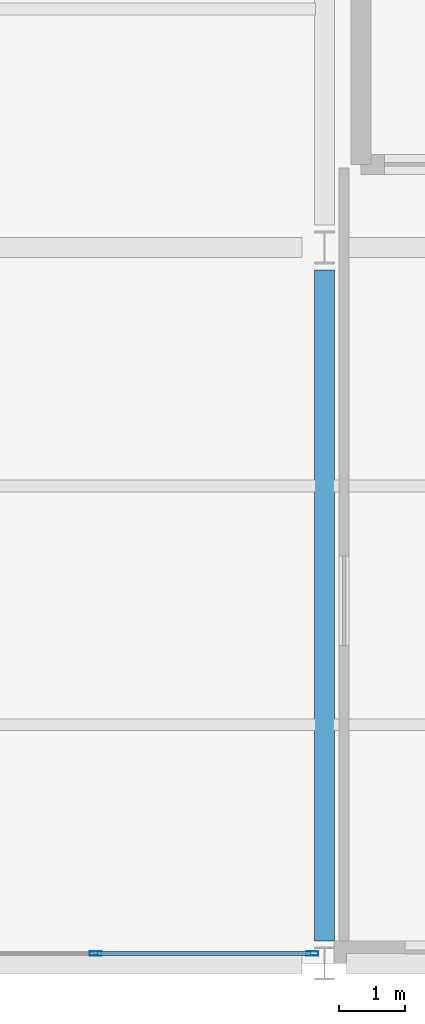
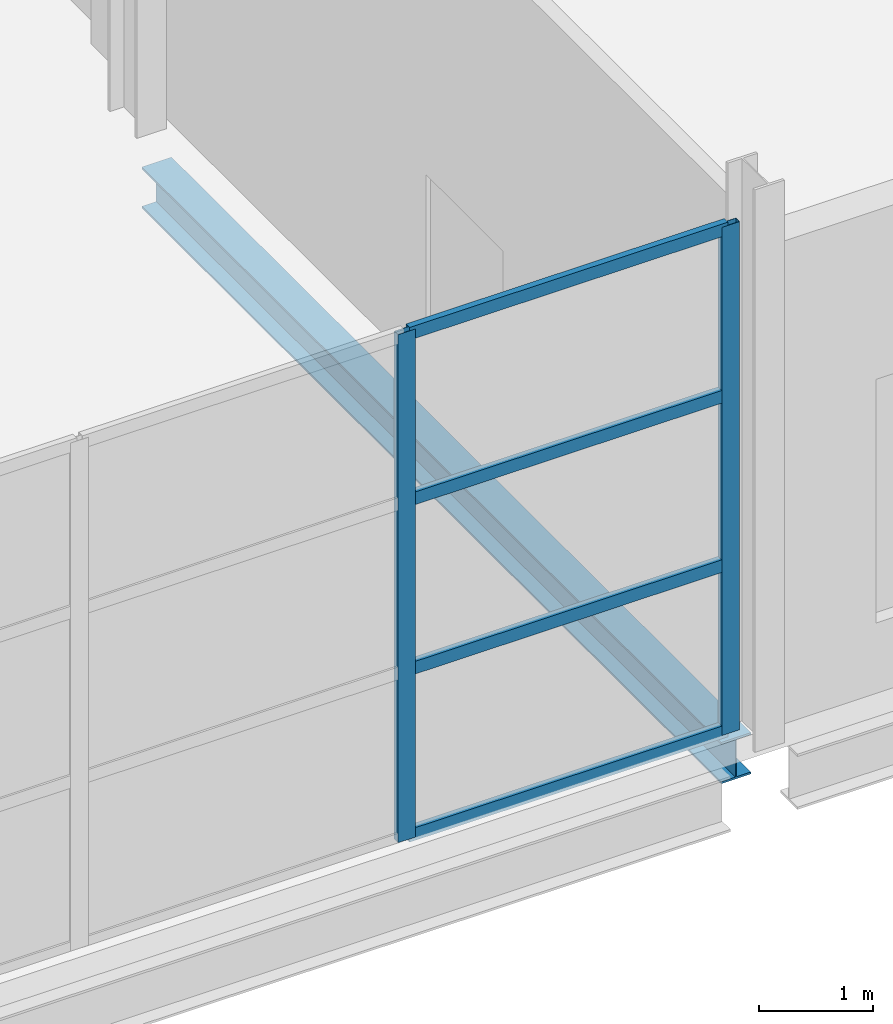
# One storey, part 134 of 191: 6 members, 1 beam, 1 element without a shape of its own.
"""IFC4 building model written with IfcOpenShell, lengths in metres."""

from ifc_helpers import new_model, si_unit, direction, frame, origin, origin_2d, place, context, subcontext, project, spatial, hollow_rectangle, i_section, extrude, material, layer, layer_set, material_profile, profile_set, type_object, element, aggregate, save


model = new_model("IFC4")

# Units and contexts
model_context = context("Model", 3, precision=1e-05, world=origin(), true_north=direction((0.0, 1.0)))
body_context = subcontext(model_context, "Body", "Model", "MODEL_VIEW")
ifc_project = project(units=[si_unit("LENGTHUNIT", "METRE"), si_unit("AREAUNIT", "SQUARE_METRE"), si_unit("VOLUMEUNIT", "CUBIC_METRE"), si_unit("PLANEANGLEUNIT", "RADIAN"), si_unit("MASSUNIT", "GRAM", prefix="KILO")], contexts=[model_context])

# Site, building, storey
site_placement = place(None, origin())
site = spatial("IfcSite", under=ifc_project, at=site_placement, CompositionType="ELEMENT")
building_placement = place(site_placement, origin())
building = spatial("IfcBuilding", under=site, at=building_placement, Name="Tamarisk Ironworks Central Station", CompositionType="ELEMENT")
storey_placement = place(building_placement, frame((0.0, 0.0, 6.60009765625)))
storey = spatial("IfcBuildingStorey", under=building, at=storey_placement, Name="L01", CompositionType="ELEMENT", Elevation=6.60009765625)

# Beam
ifc_material_1 = material(Name="Structural steel S355J2", Category="steel")
ifc_material_profile_1 = material_profile(ifc_material_1, i_section(OverallWidth=0.300048828125, OverallDepth=0.43994140625, WebThickness=0.011474609375, FlangeThickness=0.02099609375, at=origin_2d()), Name="HEA 450")
ifc_profile_set_1 = profile_set([ifc_material_profile_1], Name="Structural steel S355J2")
beam_type = type_object("IfcBeamType", Name="BM-G06", PredefinedType="BEAM", material=ifc_profile_set_1)
beam_placement = place(storey_placement, frame((166.5, 0.337890625, -0.47021484375), z_axis=(0.0, 1.0, 0.0), x_axis=(-1.0, 0.0, 0.0)))
element("IfcBeam", 1, at=beam_placement, inside=storey, type_object=beam_type, Name="L01 primary girder Y-0278", PredefinedType="BEAM", context=body_context, shape_type="SweptSolid", body=[
    extrude(i_section(OverallWidth=0.300048828125, OverallDepth=0.43994140625, WebThickness=0.011474609375, FlangeThickness=0.02099609375, at=origin_2d()), origin(), (0.0, 0.0, 1.0), 10.1240234375),
])

# Curtain wall, members
ifc_material_2 = material(Name="Anodized aluminium alloy 6063-T6", Category="aluminium")
ifc_layer = layer(ifc_material_2, 0.179931640625)
ifc_layer_set = layer_set([ifc_layer], Name="Anodized aluminium alloy 6063-T6")
curtain_wall_type = type_object("IfcCurtainWallType", Name="CW-16", PredefinedType="USERDEFINED", material=ifc_layer_set)
curtain_wall_placement = place(storey_placement, origin())
curtain_wall = element("IfcCurtainWall", 2, at=curtain_wall_placement, inside=storey, type_object=curtain_wall_type, Name="South-east annex L01 curtain wall 153", ObjectType="GLAZED CURTAIN WALL", PredefinedType="USERDEFINED")
ifc_material_profile_2 = material_profile(ifc_material_2, hollow_rectangle(XDim=0.06494140625, YDim=0.179931640625, WallThickness=0.00390625, at=origin_2d()), Name="ALUM 180x65")
ifc_profile_set_2 = profile_set([ifc_material_profile_2], Name="Anodized aluminium alloy 6063-T6")
member_type_1 = type_object("IfcMemberType", Name="CWM-02", PredefinedType="MULLION", material=ifc_profile_set_2)
member_1_placement = place(storey_placement, frame((163.051025390625, 0.14990234375, 0.0), z_axis=(0.0, 0.0, 1.0), x_axis=(0.0, 1.0, 0.0)))
member_1 = element("IfcMember", 3, at=member_1_placement, type_object=member_type_1, Name="CW16 mullion 4", PredefinedType="MULLION", context=body_context, shape_type="SweptSolid", body=[
    extrude(hollow_rectangle(XDim=0.06494140625, YDim=0.179931640625, WallThickness=0.00390625, at=origin_2d()), origin(), (0.0, 0.0, 1.0), 5.419921875),
])
member_2_placement = place(storey_placement, frame((166.319580078125, 0.14990234375, 0.0), z_axis=(0.0, 0.0, 1.0), x_axis=(0.0, 1.0, 0.0)))
member_2 = element("IfcMember", 4, at=member_2_placement, type_object=member_type_1, Name="CW16 mullion 5", PredefinedType="MULLION", context=body_context, shape_type="SweptSolid", body=[
    extrude(hollow_rectangle(XDim=0.06494140625, YDim=0.179931640625, WallThickness=0.00390625, at=origin_2d()), origin(), (0.0, 0.0, 1.0), 5.419921875),
])
ifc_material_profile_3 = material_profile(ifc_material_2, hollow_rectangle(XDim=0.06494140625, YDim=0.135009765625, WallThickness=0.00341796875, at=origin_2d()), Name="ALUM 135x65")
ifc_profile_set_3 = profile_set([ifc_material_profile_3], Name="Anodized aluminium alloy 6063-T6")
member_type_2 = type_object("IfcMemberType", Name="CWT-02", PredefinedType="USERDEFINED", material=ifc_profile_set_3)
member_3_placement = place(storey_placement, frame((163.07958984375, 0.14990234375, 0.032470703125), z_axis=(1.0, 0.0, 0.0), x_axis=(0.0, 1.0, 0.0)))
member_3 = element("IfcMember", 5, at=member_3_placement, type_object=member_type_2, Name="CW16 transom 4.1", ObjectType="TRANSOM", PredefinedType="USERDEFINED", context=body_context, shape_type="SweptSolid", body=[
    extrude(hollow_rectangle(XDim=0.06494140625, YDim=0.135009765625, WallThickness=0.00341796875, at=origin_2d()), origin(), (0.0, 0.0, 1.0), 3.21142578125),
])
member_4_placement = place(storey_placement, frame((163.07958984375, 0.14990234375, 1.806640625), z_axis=(1.0, 0.0, 0.0), x_axis=(0.0, 1.0, 0.0)))
member_4 = element("IfcMember", 6, at=member_4_placement, type_object=member_type_2, Name="CW16 transom 4.2", ObjectType="TRANSOM", PredefinedType="USERDEFINED", context=body_context, shape_type="SweptSolid", body=[
    extrude(hollow_rectangle(XDim=0.06494140625, YDim=0.135009765625, WallThickness=0.00341796875, at=origin_2d()), origin(), (0.0, 0.0, 1.0), 3.21142578125),
])
member_5_placement = place(storey_placement, frame((163.07958984375, 0.14990234375, 3.61328125), z_axis=(1.0, 0.0, 0.0), x_axis=(0.0, 1.0, 0.0)))
member_5 = element("IfcMember", 7, at=member_5_placement, type_object=member_type_2, Name="CW16 transom 4.3", ObjectType="TRANSOM", PredefinedType="USERDEFINED", context=body_context, shape_type="SweptSolid", body=[
    extrude(hollow_rectangle(XDim=0.06494140625, YDim=0.135009765625, WallThickness=0.00341796875, at=origin_2d()), origin(), (0.0, 0.0, 1.0), 3.21142578125),
])
member_6_placement = place(storey_placement, frame((163.07958984375, 0.14990234375, 5.387451171875), z_axis=(1.0, 0.0, 0.0), x_axis=(0.0, 1.0, 0.0)))
member_6 = element("IfcMember", 8, at=member_6_placement, type_object=member_type_2, Name="CW16 transom 4.4", ObjectType="TRANSOM", PredefinedType="USERDEFINED", context=body_context, shape_type="SweptSolid", body=[
    extrude(hollow_rectangle(XDim=0.06494140625, YDim=0.135009765625, WallThickness=0.00341796875, at=origin_2d()), origin(), (0.0, 0.0, 1.0), 3.21142578125),
])
aggregate(curtain_wall, [member_1, member_2, member_3, member_4, member_5, member_6])

save(model, "model.ifc")
